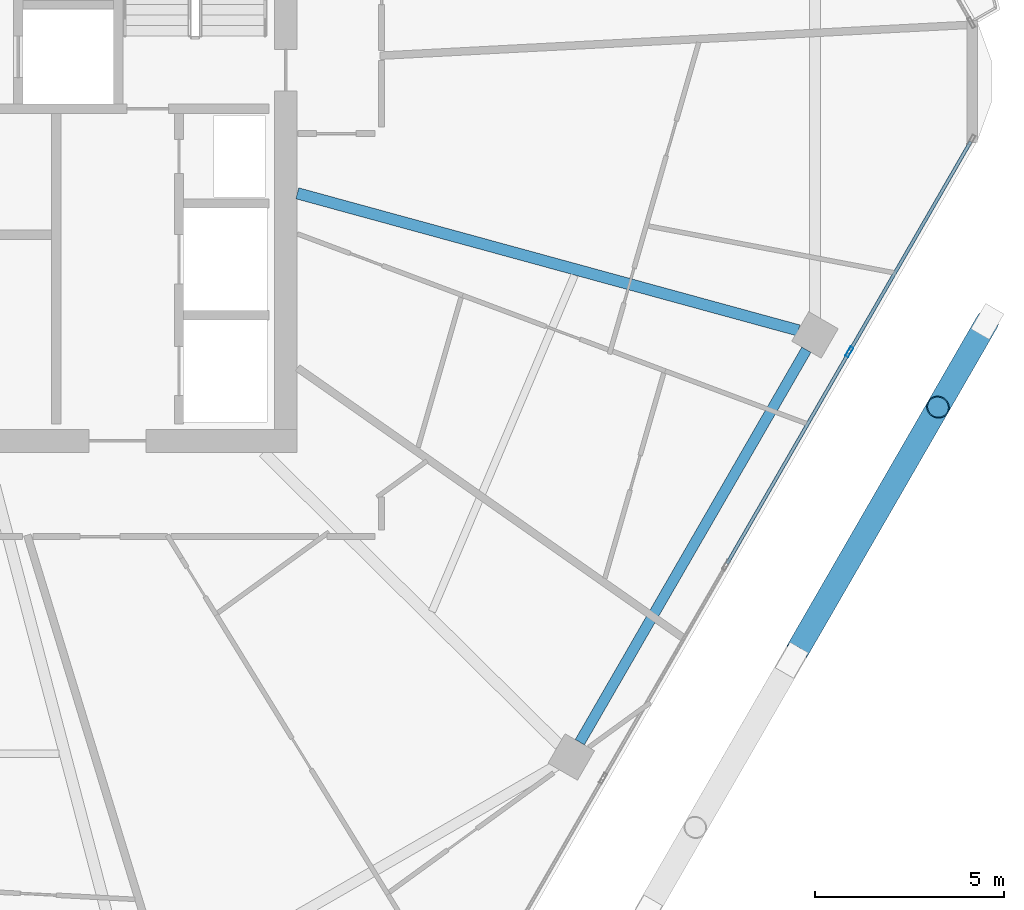
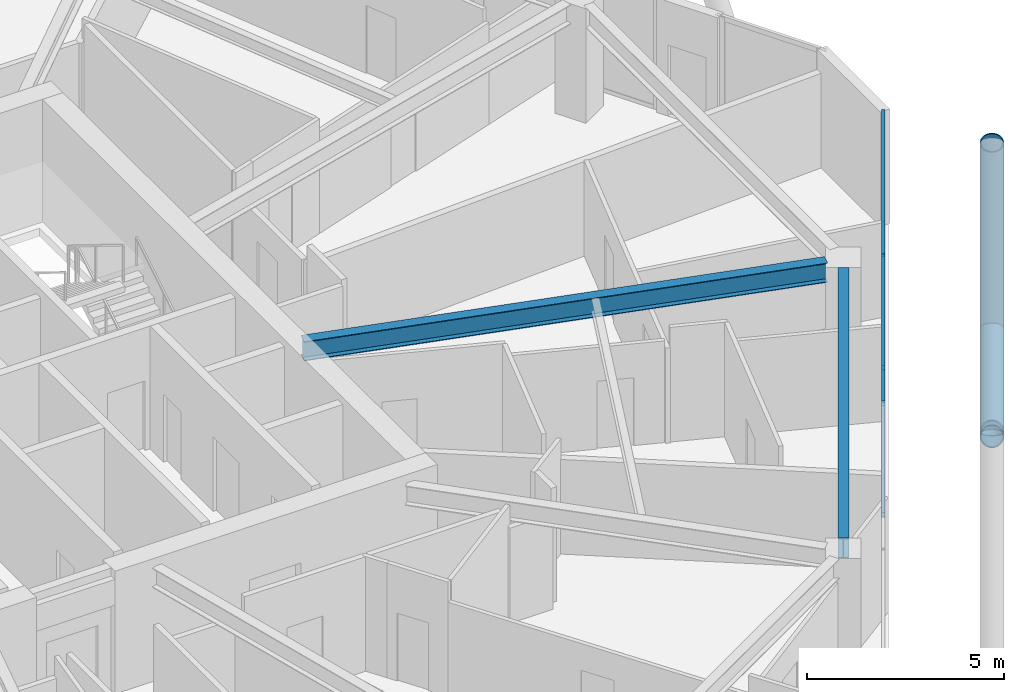
# One storey, part 10 of 27: 7 members, 2 beams, 1 element without a shape of its own.
"""IFC4 building model written with IfcOpenShell, lengths in metres."""

from ifc_helpers import new_model, si_unit, direction, frame, origin, origin_2d, place, context, subcontext, project, spatial, hollow_rectangle, hollow_circle, i_section, extrude, material, material_profile, profile_set, type_object, element, aggregate, save


model = new_model("IFC4")

# Units and contexts
model_context = context("Model", 3, precision=1e-05, world=origin(), true_north=direction((0.0, 1.0)))
body_context = subcontext(model_context, "Body", "Model", "MODEL_VIEW")
ifc_project = project(units=[si_unit("LENGTHUNIT", "METRE"), si_unit("AREAUNIT", "SQUARE_METRE"), si_unit("VOLUMEUNIT", "CUBIC_METRE"), si_unit("PLANEANGLEUNIT", "RADIAN"), si_unit("MASSUNIT", "GRAM", prefix="KILO")], contexts=[model_context])

# Site, building, storey
site_placement = place(None, origin())
site = spatial("IfcSite", under=ifc_project, at=site_placement, CompositionType="ELEMENT")
building_placement = place(site_placement, origin())
building = spatial("IfcBuilding", under=site, at=building_placement, Name="Zuhravey Tower", CompositionType="ELEMENT")
storey_placement = place(building_placement, frame((0.0, 0.0, 261.60009765625)))
storey = spatial("IfcBuildingStorey", under=building, at=storey_placement, Name="L66", CompositionType="ELEMENT", Elevation=261.60009765625)

# Curtain wall, members
ifc_material_1 = material(Name="Thermally broken anodised aluminium", Category="aluminium")
curtain_wall_type = type_object("IfcCurtainWallType", Name="Zone 3-4 High-Rise Curtain Wall CW4", PredefinedType="NOTDEFINED", material=ifc_material_1)
curtain_wall_placement = place(storey_placement, origin())
curtain_wall = element("IfcCurtainWall", 1, at=curtain_wall_placement, inside=storey, type_object=curtain_wall_type, Name="L66 CW4 CW-L66-F6-1", PredefinedType="NOTDEFINED")
ifc_material_2 = material(Name="Anodised aluminium", Category="aluminium")
ifc_material_profile_1 = material_profile(ifc_material_2, hollow_rectangle(XDim=0.090087890625, YDim=0.284912109375, WallThickness=0.0048828125, at=origin_2d()), Name="ALU-RHS-90x285x5")
ifc_profile_set_1 = profile_set([ifc_material_profile_1], Name="Anodised aluminium")
member_type_1 = type_object("IfcMemberType", Name="Curtain-Wall Mullion 90x180", PredefinedType="MULLION", material=ifc_profile_set_1)
member_1_placement = place(storey_placement, frame((61.391845703125, 24.852783203125, 0.0), z_axis=(0.0, 0.0, 1.0), x_axis=(0.866024851021, -0.500000957414, 0.0)))
member_1 = element("IfcMember", 2, at=member_1_placement, type_object=member_type_1, Name="CW4 mullion 2", PredefinedType="MULLION", context=body_context, shape_type="SweptSolid", body=[
    extrude(hollow_rectangle(XDim=0.090087890625, YDim=0.284912109375, WallThickness=0.0048828125, at=origin_2d()), origin(), (0.0, 0.0, 1.0), 3.5498046875),
])
ifc_material_profile_2 = material_profile(ifc_material_2, hollow_rectangle(XDim=0.090087890625, YDim=0.14990234375, WallThickness=0.0048828125, at=origin_2d()), Name="ALU-RHS-90x150x5")
ifc_profile_set_2 = profile_set([ifc_material_profile_2], Name="Anodised aluminium")
member_type_2 = type_object("IfcMemberType", Name="Curtain-Wall Transom 90x150", PredefinedType="USERDEFINED", material=ifc_profile_set_2)
member_2_placement = place(storey_placement, frame((64.60009765625, 30.40966796875, 0.044921875), z_axis=(-0.500008810174, -0.866020317169, 0.0), x_axis=(0.866020317169, -0.500008810174, 0.0)))
member_2 = element("IfcMember", 3, at=member_2_placement, type_object=member_type_2, Name="CW4 transom 1.1", ObjectType="TRANSOM", PredefinedType="USERDEFINED", context=body_context, shape_type="SweptSolid", body=[
    extrude(hollow_rectangle(XDim=0.090087890625, YDim=0.14990234375, WallThickness=0.0048828125, at=origin_2d()), origin(), (0.0, 0.0, 1.0), 6.37158203125),
])
member_3_placement = place(storey_placement, frame((64.60009765625, 30.40966796875, 3.5048828125), z_axis=(-0.500008810174, -0.866020317169, 0.0), x_axis=(0.866020317169, -0.500008810174, 0.0)))
member_3 = element("IfcMember", 4, at=member_3_placement, type_object=member_type_2, Name="CW4 transom 1.2", ObjectType="TRANSOM", PredefinedType="USERDEFINED", context=body_context, shape_type="SweptSolid", body=[
    extrude(hollow_rectangle(XDim=0.090087890625, YDim=0.14990234375, WallThickness=0.0048828125, at=origin_2d()), origin(), (0.0, 0.0, 1.0), 6.37158203125),
])
member_4_placement = place(storey_placement, frame((61.369384765625, 24.81396484375, 0.044921875), z_axis=(-0.499998017366, -0.866026548456, 0.0), x_axis=(0.866026548456, -0.499998017366, 0.0)))
member_4 = element("IfcMember", 5, at=member_4_placement, type_object=member_type_2, Name="CW4 transom 2.1", ObjectType="TRANSOM", PredefinedType="USERDEFINED", context=body_context, shape_type="SweptSolid", body=[
    extrude(hollow_rectangle(XDim=0.090087890625, YDim=0.14990234375, WallThickness=0.0048828125, at=origin_2d()), origin(), (0.0, 0.0, 1.0), 6.41650390625),
])
member_5_placement = place(storey_placement, frame((61.369384765625, 24.81396484375, 3.5048828125), z_axis=(-0.499998017366, -0.866026548456, 0.0), x_axis=(0.866026548456, -0.499998017366, 0.0)))
member_5 = element("IfcMember", 6, at=member_5_placement, type_object=member_type_2, Name="CW4 transom 2.2", ObjectType="TRANSOM", PredefinedType="USERDEFINED", context=body_context, shape_type="SweptSolid", body=[
    extrude(hollow_rectangle(XDim=0.090087890625, YDim=0.14990234375, WallThickness=0.0048828125, at=origin_2d()), origin(), (0.0, 0.0, 1.0), 6.41650390625),
])
aggregate(curtain_wall, [member_1, member_2, member_3, member_4, member_5])

# Members
ifc_material_3 = material(Name="Steel SM355", Category="steel")
ifc_material_profile_3 = material_profile(ifc_material_3, hollow_circle(Radius=0.3046875, WallThickness=0.028076171875, at=origin_2d()), Name="CHS-609.6x28")
ifc_profile_set_3 = profile_set([ifc_material_profile_3], Name="Steel SM355")
member_type_3 = type_object("IfcMemberType", Name="Exoskeleton Zone 3 Diagrid CHS610x28", PredefinedType="BRACE", material=ifc_profile_set_3)
member_6_placement = place(storey_placement, frame((65.040283203125, 25.652099609375, -0.446044921875), z_axis=(-0.163030622365, -0.282366718953, 0.945351813982), x_axis=(0.866017274468, -0.500014080125, 0.0)))
element("IfcMember", 7, at=member_6_placement, inside=storey, type_object=member_type_3, Name="L66 Face 6 Diagrid Brace 4", PredefinedType="BRACE", context=body_context, shape_type="SweptSolid", body=[
    extrude(hollow_circle(Radius=0.3046875, WallThickness=0.028076171875, at=origin_2d()), origin(), (0.0, 0.0, 1.0), 8.001220703125),
])
member_7_placement = place(storey_placement, frame((65.024169921875, 25.624267578125, -0.449951171875), z_axis=(-0.469318707533, -0.812860915854, 0.344959537101), x_axis=(0.866019296191, -0.500010578514, 0.0)))
element("IfcMember", 8, at=member_7_placement, inside=storey, type_object=member_type_3, Name="L66 Face 6 Split Diagrid Brace 3A", PredefinedType="BRACE", context=body_context, shape_type="SweptSolid", body=[
    extrude(hollow_circle(Radius=0.3046875, WallThickness=0.028076171875, at=origin_2d()), origin(), (0.0, 0.0, 1.0), 10.6796875),
])

# Beams
ifc_material_profile_4 = material_profile(ifc_material_3, i_section(OverallWidth=0.280029296875, OverallDepth=0.6201171875, WebThickness=0.011962890625, FlangeThickness=0.02001953125, at=origin_2d()), Name="H-620x280x12x20")
ifc_profile_set_4 = profile_set([ifc_material_profile_4], Name="Steel SM355")
beam_type_1 = type_object("IfcBeamType", Name="Perimeter Ring Beam H620x280", PredefinedType="BEAM", material=ifc_profile_set_4)
beam_1_placement = place(storey_placement, frame((54.27001953125, 14.53759765625, 3.239990234375), z_axis=(0.500017744717, 0.866015158625, 0.0), x_axis=(-0.866015158625, 0.500017744717, 0.0)))
element("IfcBeam", 9, at=beam_1_placement, inside=storey, type_object=beam_type_1, Name="L66 PB3 BM-L66-PB-11", PredefinedType="BEAM", context=body_context, shape_type="SweptSolid", body=[
    extrude(i_section(OverallWidth=0.280029296875, OverallDepth=0.6201171875, WebThickness=0.011962890625, FlangeThickness=0.02001953125, at=origin_2d()), origin(), (0.0, 0.0, 1.0), 11.9755859375),
])
ifc_material_profile_5 = material_profile(ifc_material_3, i_section(OverallWidth=0.300048828125, OverallDepth=0.60009765625, WebThickness=0.011962890625, FlangeThickness=0.02001953125, at=origin_2d()), Name="H-600x300x12x20")
ifc_profile_set_5 = profile_set([ifc_material_profile_5], Name="Steel SM355")
beam_type_2 = type_object("IfcBeamType", Name="Radial Primary Girder H600x300", PredefinedType="BEAM", material=ifc_profile_set_5)
beam_2_placement = place(storey_placement, frame((46.802978515625, 29.04443359375, 3.25), z_axis=(0.964548913045, -0.26390413855, 0.0), x_axis=(0.26390413855, 0.964548913045, 0.0)))
element("IfcBeam", 10, at=beam_2_placement, inside=storey, type_object=beam_type_2, Name="L66 RG3 BM-L66-RAD-12", PredefinedType="BEAM", context=body_context, shape_type="SweptSolid", body=[
    extrude(i_section(OverallWidth=0.300048828125, OverallDepth=0.60009765625, WebThickness=0.011962890625, FlangeThickness=0.02001953125, at=origin_2d()), origin(), (0.0, 0.0, 1.0), 13.7314453125),
])

save(model, "model.ifc")
